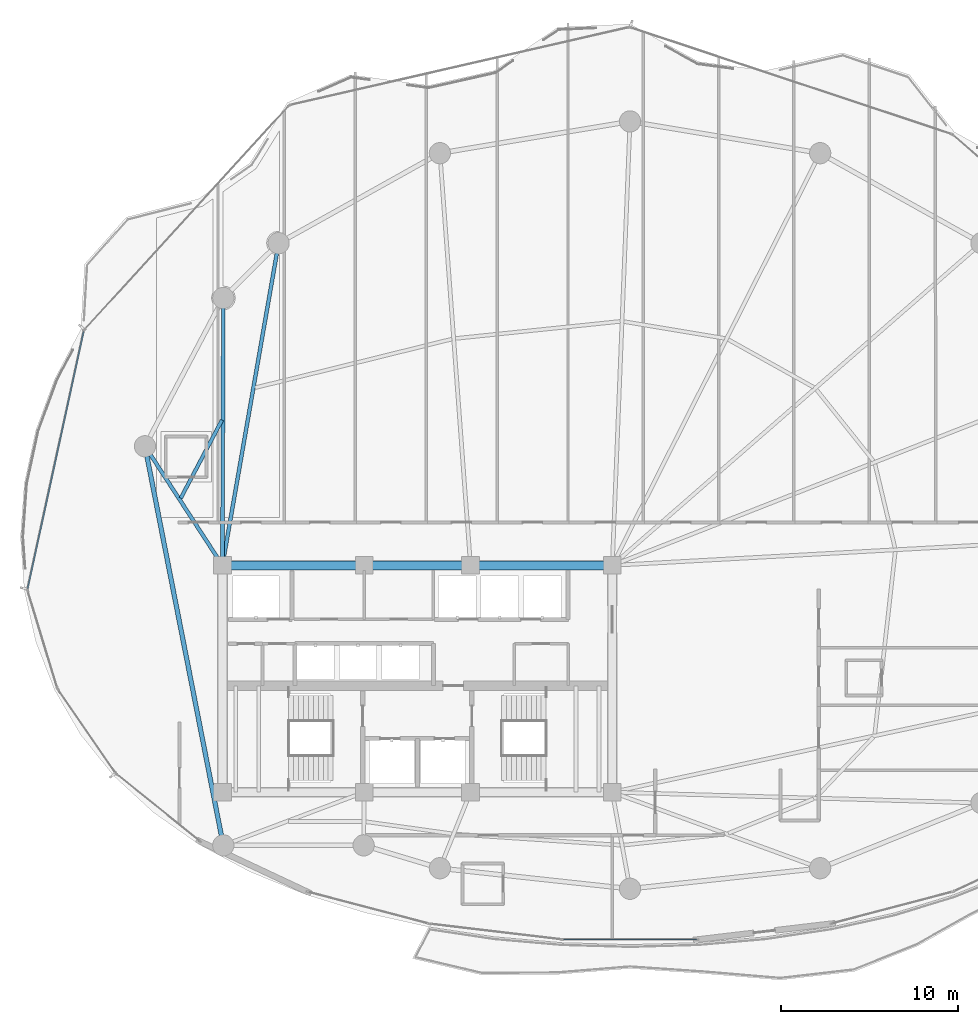
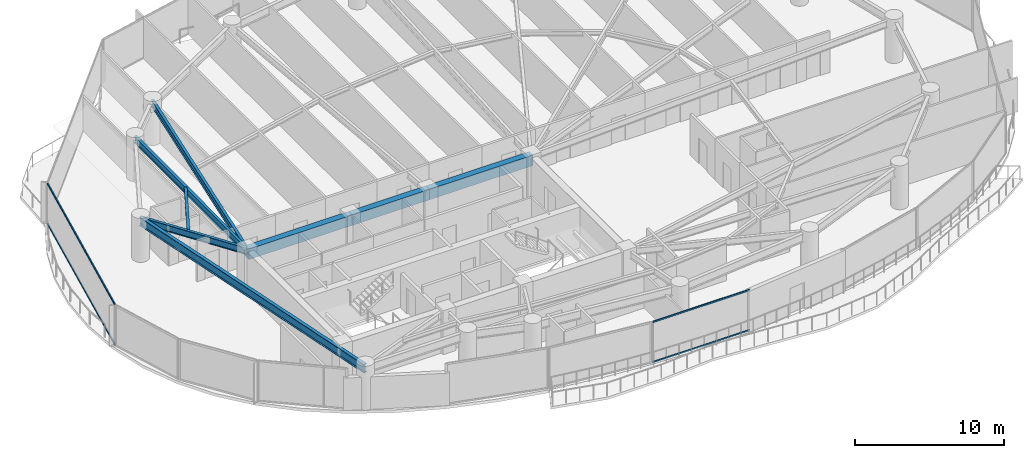
# One storey, part 9 of 34: 8 beams, 4 members, 2 elements without a shape of their own.
"""IFC4 building model written with IfcOpenShell, lengths in metres."""

from ifc_helpers import new_model, si_unit, direction, frame, origin, origin_2d, place, context, subcontext, project, spatial, rectangle, hollow_rectangle, i_section, extrude, material, layer, layer_set, material_profile, profile_set, type_object, element, aggregate, save


model = new_model("IFC4")

# Units and contexts
model_context = context("Model", 3, precision=1e-05, world=origin(), true_north=direction((0.0, 1.0)))
body_context = subcontext(model_context, "Body", "Model", "MODEL_VIEW")
ifc_project = project(units=[si_unit("LENGTHUNIT", "METRE"), si_unit("AREAUNIT", "SQUARE_METRE"), si_unit("VOLUMEUNIT", "CUBIC_METRE"), si_unit("PLANEANGLEUNIT", "RADIAN"), si_unit("MASSUNIT", "GRAM", prefix="KILO")], contexts=[model_context])

# Site, building, storey
site_placement = place(None, origin())
site = spatial("IfcSite", under=ifc_project, at=site_placement, CompositionType="ELEMENT")
building_placement = place(site_placement, origin())
building = spatial("IfcBuilding", under=site, at=building_placement, Name="Kazevale Care Tower and Concert Hall", CompositionType="ELEMENT")
storey_placement = place(building_placement, frame((0.0, 0.0, 167.39990234375)))
storey = spatial("IfcBuildingStorey", under=building, at=storey_placement, Name="L44", CompositionType="ELEMENT", Elevation=167.39990234375)

# Curtain wall, members
ifc_material_1 = material(Name="Aluminium 6063-T6 and Low-E Glass", Category="aluminium")
ifc_layer_1 = layer(ifc_material_1, 0.179931640625)
ifc_layer_set_1 = layer_set([ifc_layer_1], Name="Aluminium 6063-T6 and Low-E Glass")
curtain_wall_type_1 = type_object("IfcCurtainWallType", Name="Waist & Upper Residential Curtain Wall CW-4", PredefinedType="NOTDEFINED", material=ifc_layer_set_1)
curtain_wall_1_placement = place(storey_placement, origin())
curtain_wall_1 = element("IfcCurtainWall", 1, at=curtain_wall_1_placement, inside=storey, type_object=curtain_wall_type_1, Name="cw:L44:f13", PredefinedType="NOTDEFINED")
ifc_material_2 = material(Name="Aluminium 6063-T6", Category="aluminium")
ifc_material_profile_1 = material_profile(ifc_material_2, hollow_rectangle(XDim=0.080078125, YDim=0.139892578125, WallThickness=0.00390625, at=origin_2d()), Name="ALU80x140x4")
ifc_profile_set_1 = profile_set([ifc_material_profile_1], Name="Aluminium 6063-T6")
member_type_1 = type_object("IfcMemberType", Name="CW-4 Transom ALU80x140x4", PredefinedType="USERDEFINED", material=ifc_profile_set_1)
member_1_placement = place(storey_placement, frame((11.011962890625, 35.10205078125, 0.0400390625), z_axis=(0.212825500876, 0.977090224174, 0.0), x_axis=(-0.977090224174, 0.212825500876, 0.0)))
member_1 = element("IfcMember", 2, at=member_1_placement, type_object=member_type_1, Name="CW-4 transom 1.1", ObjectType="TRANSOM", PredefinedType="USERDEFINED", context=body_context, shape_type="SweptSolid", body=[
    extrude(hollow_rectangle(XDim=0.080078125, YDim=0.139892578125, WallThickness=0.00390625, at=origin_2d()), origin(), (0.0, 0.0, 1.0), 14.824462890625),
])
member_2_placement = place(storey_placement, frame((11.011962890625, 35.10205078125, 3.320068359375), z_axis=(0.212825500876, 0.977090224174, 0.0), x_axis=(-0.977090224174, 0.212825500876, 0.0)))
member_2 = element("IfcMember", 3, at=member_2_placement, type_object=member_type_1, Name="CW-4 transom 1.2", ObjectType="TRANSOM", PredefinedType="USERDEFINED", context=body_context, shape_type="SweptSolid", body=[
    extrude(hollow_rectangle(XDim=0.080078125, YDim=0.139892578125, WallThickness=0.00390625, at=origin_2d()), origin(), (0.0, 0.0, 1.0), 14.824462890625),
])
aggregate(curtain_wall_1, [member_1, member_2])

ifc_layer_2 = layer(ifc_material_1, 0.179931640625)
ifc_layer_set_2 = layer_set([ifc_layer_2], Name="Aluminium 6063-T6 and Low-E Glass")
curtain_wall_type_2 = type_object("IfcCurtainWallType", Name="Sheltered Concave Balcony Curtain Wall CW-5", PredefinedType="NOTDEFINED", material=ifc_layer_set_2)
curtain_wall_2_placement = place(storey_placement, origin())
curtain_wall_2 = element("IfcCurtainWall", 4, at=curtain_wall_2_placement, inside=storey, type_object=curtain_wall_type_2, Name="cw:L44:f06", PredefinedType="NOTDEFINED")
ifc_material_profile_2 = material_profile(ifc_material_2, hollow_rectangle(XDim=0.074951171875, YDim=0.1201171875, WallThickness=0.00390625, at=origin_2d()), Name="ALU75x120x4")
ifc_profile_set_2 = profile_set([ifc_material_profile_2], Name="Aluminium 6063-T6")
member_type_2 = type_object("IfcMemberType", Name="CW-5 Transom ALU75x120x4", PredefinedType="USERDEFINED", material=ifc_profile_set_2)
member_3_placement = place(storey_placement, frame((48.76611328125, 15.2890625, 0.03759765625), z_axis=(-1.0, 0.0, 0.0), x_axis=(0.0, -1.0, 0.0)))
member_3 = element("IfcMember", 5, at=member_3_placement, type_object=member_type_2, Name="CW-5 transom 1.1", ObjectType="TRANSOM", PredefinedType="USERDEFINED", context=body_context, shape_type="SweptSolid", body=[
    extrude(hollow_rectangle(XDim=0.074951171875, YDim=0.1201171875, WallThickness=0.00390625, at=origin_2d()), origin(), (0.0, 0.0, 1.0), 7.5322265625),
])
member_4_placement = place(storey_placement, frame((48.76611328125, 15.2890625, 3.322509765625), z_axis=(-1.0, 0.0, 0.0), x_axis=(0.0, -1.0, 0.0)))
member_4 = element("IfcMember", 6, at=member_4_placement, type_object=member_type_2, Name="CW-5 transom 1.2", ObjectType="TRANSOM", PredefinedType="USERDEFINED", context=body_context, shape_type="SweptSolid", body=[
    extrude(hollow_rectangle(XDim=0.074951171875, YDim=0.1201171875, WallThickness=0.00390625, at=origin_2d()), origin(), (0.0, 0.0, 1.0), 7.5322265625),
])
aggregate(curtain_wall_2, [member_3, member_4])

# Beams
ifc_material_3 = material(Name="Concrete C60", Category="concrete")
ifc_material_profile_3 = material_profile(ifc_material_3, rectangle(XDim=0.5, YDim=0.85009765625, at=origin_2d()), Name="RC-B500x850")
ifc_profile_set_3 = profile_set([ifc_material_profile_3], Name="Concrete C60")
beam_type_1 = type_object("IfcBeamType", Name="Core Coupling Beam RC500x850", PredefinedType="LINTEL", material=ifc_profile_set_3)
beam_1_placement = place(storey_placement, frame((44.0, 36.39990234375, 2.93505859375), z_axis=(-1.0, 0.0, 0.0), x_axis=(0.0, -1.0, 0.0)))
element("IfcBeam", 7, at=beam_1_placement, inside=storey, type_object=beam_type_1, Name="beam:L44:coretie:5", PredefinedType="LINTEL", context=body_context, shape_type="SweptSolid", body=[
    extrude(rectangle(XDim=0.5, YDim=0.85009765625, at=origin_2d()), origin(), (0.0, 0.0, 1.0), 8.0),
])
beam_2_placement = place(storey_placement, frame((36.0, 36.39990234375, 2.93505859375), z_axis=(-1.0, 0.0, 0.0), x_axis=(0.0, -1.0, 0.0)))
element("IfcBeam", 8, at=beam_2_placement, inside=storey, type_object=beam_type_1, Name="beam:L44:coretie:6", PredefinedType="LINTEL", context=body_context, shape_type="SweptSolid", body=[
    extrude(rectangle(XDim=0.5, YDim=0.85009765625, at=origin_2d()), origin(), (0.0, 0.0, 1.0), 6.0),
])
beam_3_placement = place(storey_placement, frame((30.0, 36.39990234375, 2.93505859375), z_axis=(-1.0, 0.0, 0.0), x_axis=(0.0, -1.0, 0.0)))
element("IfcBeam", 9, at=beam_3_placement, inside=storey, type_object=beam_type_1, Name="beam:L44:coretie:7", PredefinedType="LINTEL", context=body_context, shape_type="SweptSolid", body=[
    extrude(rectangle(XDim=0.5, YDim=0.85009765625, at=origin_2d()), origin(), (0.0, 0.0, 1.0), 8.0),
])
ifc_material_4 = material(Name="Steel ASTM A572 Gr 50", Category="steel")
ifc_material_profile_4 = material_profile(ifc_material_4, i_section(OverallWidth=0.2119140625, OverallDepth=0.5439453125, WebThickness=0.01318359375, FlangeThickness=0.021240234375, at=origin_2d()), Name="W530x123")
ifc_profile_set_4 = profile_set([ifc_material_profile_4], Name="Steel ASTM A572 Gr 50")
beam_type_2 = type_object("IfcBeamType", Name="Radial Floor Girder W530x123", PredefinedType="BEAM", material=ifc_profile_set_4)
beam_4_placement = place(storey_placement, frame((22.0, 36.39990234375, 3.088134765625), z_axis=(0.171769935245, 0.985137091651, 0.0), x_axis=(-0.985137091651, 0.171769935245, 0.0)))
element("IfcBeam", 10, at=beam_4_placement, inside=storey, type_object=beam_type_2, Name="beam:L44:rad:07", PredefinedType="BEAM", context=body_context, shape_type="SweptSolid", body=[
    extrude(i_section(OverallWidth=0.2119140625, OverallDepth=0.5439453125, WebThickness=0.01318359375, FlangeThickness=0.021240234375, at=origin_2d()), origin(), (0.0, 0.0, 1.0), 18.454345703125),
])
beam_5_placement = place(storey_placement, frame((22.0, 36.39990234375, 3.088134765625), z_axis=(0.003316650851, 0.999994499898, 0.0), x_axis=(-0.999994499898, 0.003316650851, 0.0)))
element("IfcBeam", 11, at=beam_5_placement, inside=storey, type_object=beam_type_2, Name="beam:L44:rad:08", PredefinedType="BEAM", context=body_context, shape_type="SweptSolid", body=[
    extrude(i_section(OverallWidth=0.2119140625, OverallDepth=0.5439453125, WebThickness=0.01318359375, FlangeThickness=0.021240234375, at=origin_2d()), origin(), (0.0, 0.0, 1.0), 15.090087890625),
])
beam_6_placement = place(storey_placement, frame((22.0, 36.39990234375, 3.088134765625), z_axis=(-0.5451617613, 0.83833087383, 0.0), x_axis=(-0.83833087383, -0.5451617613, 0.0)))
element("IfcBeam", 12, at=beam_6_placement, inside=storey, type_object=beam_type_2, Name="beam:L44:rad:09", PredefinedType="BEAM", context=body_context, shape_type="SweptSolid", body=[
    extrude(i_section(OverallWidth=0.2119140625, OverallDepth=0.5439453125, WebThickness=0.01318359375, FlangeThickness=0.021240234375, at=origin_2d()), origin(), (0.0, 0.0, 1.0), 8.01611328125),
])
ifc_material_profile_5 = material_profile(ifc_material_4, i_section(OverallWidth=0.205078125, OverallDepth=0.35400390625, WebThickness=0.009521484375, FlangeThickness=0.016845703125, at=origin_2d()), Name="W360x79")
ifc_profile_set_5 = profile_set([ifc_material_profile_5], Name="Steel ASTM A572 Gr 50")
beam_type_3 = type_object("IfcBeamType", Name="Secondary Floor Joist W360x79", PredefinedType="JOIST", material=ifc_profile_set_5)
beam_7_placement = place(storey_placement, frame((21.97802734375, 44.60693359375, 3.18310546875), z_axis=(-0.466809583155, -0.884357853515, 0.0), x_axis=(0.884357853515, -0.466809583155, 0.0)))
element("IfcBeam", 13, at=beam_7_placement, inside=storey, type_object=beam_type_3, Name="beam:L44:joist:08", PredefinedType="JOIST", context=body_context, shape_type="SweptSolid", body=[
    extrude(i_section(OverallWidth=0.205078125, OverallDepth=0.35400390625, WebThickness=0.009521484375, FlangeThickness=0.016845703125, at=origin_2d()), origin(), (0.0, 0.0, 1.0), 4.99560546875),
])
ifc_material_profile_6 = material_profile(ifc_material_4, i_section(OverallWidth=0.256103515625, OverallDepth=0.693115234375, WebThickness=0.014404296875, FlangeThickness=0.023681640625, at=origin_2d()), Name="W690x170")
ifc_profile_set_6 = profile_set([ifc_material_profile_6], Name="Steel ASTM A572 Gr 50")
beam_type_4 = type_object("IfcBeamType", Name="Waist Ring Beam W690x170", PredefinedType="BEAM", material=ifc_profile_set_6)
beam_8_placement = place(storey_placement, frame((17.6298828125, 43.1201171875, 3.013671875), z_axis=(0.192602267784, -0.9812769061, 0.0), x_axis=(0.9812769061, 0.192602267784, 0.0)))
element("IfcBeam", 14, at=beam_8_placement, inside=storey, type_object=beam_type_4, Name="beam:L44:ring:09", PredefinedType="BEAM", context=body_context, shape_type="SweptSolid", body=[
    extrude(i_section(OverallWidth=0.256103515625, OverallDepth=0.693115234375, WebThickness=0.014404296875, FlangeThickness=0.023681640625, at=origin_2d()), origin(), (0.0, 0.0, 1.0), 22.94970703125),
])

save(model, "model.ifc")
